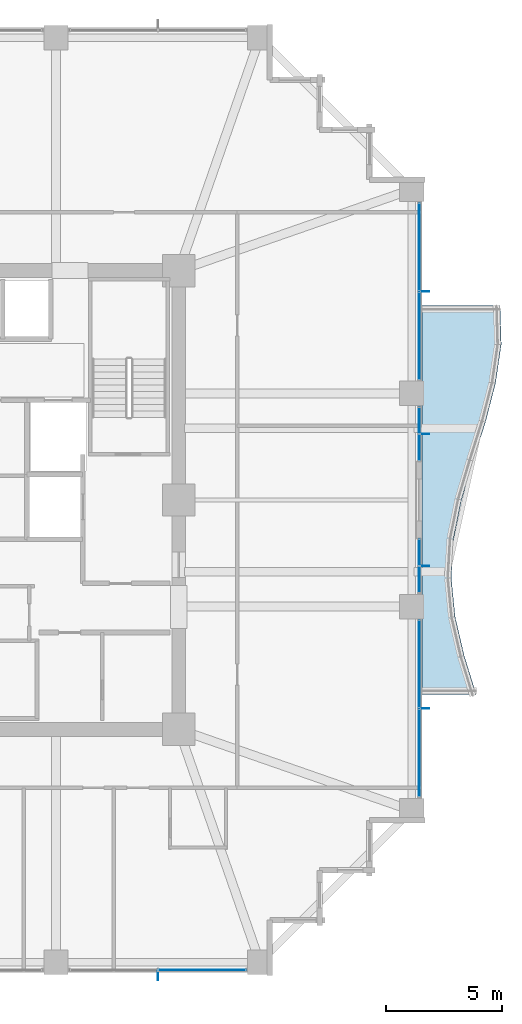
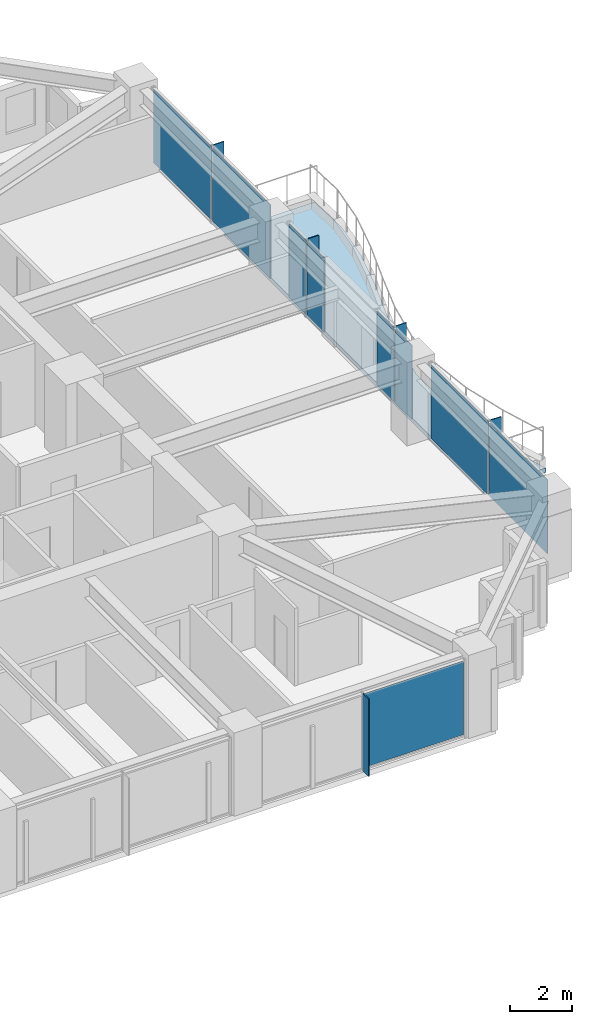
# One storey, part 28 of 36: 14 plates, 1 slab, 5 elements without a shape of their own.
"""IFC4 building model written with IfcOpenShell, lengths in metres."""

from ifc_helpers import new_model, si_unit, direction, frame, origin, origin_2d, place, context, subcontext, project, spatial, polyline, rectangle, outline, extrude, material, layer, layer_set, type_object, element, aggregate, save


model = new_model("IFC4")

# Units and contexts
model_context = context("Model", 3, precision=1e-05, world=origin(), true_north=direction((0.0, 1.0)))
body_context = subcontext(model_context, "Body", "Model", "MODEL_VIEW")
ifc_project = project(units=[si_unit("LENGTHUNIT", "METRE"), si_unit("AREAUNIT", "SQUARE_METRE"), si_unit("VOLUMEUNIT", "CUBIC_METRE"), si_unit("PLANEANGLEUNIT", "RADIAN"), si_unit("MASSUNIT", "GRAM", prefix="KILO")], contexts=[model_context])

# Site, building, storey
site_placement = place(None, origin())
site = spatial("IfcSite", under=ifc_project, at=site_placement, CompositionType="ELEMENT")
building_placement = place(site_placement, origin())
building = spatial("IfcBuilding", under=site, at=building_placement, Name="Kolvaren Belvedere", CompositionType="ELEMENT")
storey_placement = place(building_placement, frame((0.0, 0.0, 95.300048828125)))
storey = spatial("IfcBuildingStorey", under=building, at=storey_placement, Name="L27", CompositionType="ELEMENT", Elevation=95.300048828125)

# Curtain wall, plate
ifc_material_1 = material(Name="Anodised pale-metal aluminium AA 6063-T6", Category="aluminium")
curtain_wall_type = type_object("IfcCurtainWallType", Name="CW-Z2-MID", PredefinedType="NOTDEFINED", material=ifc_material_1)
curtain_wall_1_placement = place(storey_placement, origin())
curtain_wall_1 = element("IfcCurtainWall", 1, at=curtain_wall_1_placement, inside=storey, type_object=curtain_wall_type, Name="L27 Unitised Curtain Wall FCW-L27-S-B1", PredefinedType="NOTDEFINED")
ifc_material_2 = material(Name="Low-iron triple insulated glass", Category="glass")
ifc_layer_1 = layer(ifc_material_2, 0.028076171875)
ifc_layer_set_1 = layer_set([ifc_layer_1], Name="Low-iron triple insulated glass")
plate_type_1 = type_object("IfcPlateType", Name="CW-PNL-VIS28", PredefinedType="CURTAIN_PANEL", material=ifc_layer_set_1)
plate_1_placement = place(storey_placement, frame((10.9111328125, -20.280029296875, 0.080078125), z_axis=(0.0, 0.0, 1.0), x_axis=(-1.0, 0.0, 0.0)))
plate_1 = element("IfcPlate", 2, at=plate_1_placement, type_object=plate_type_1, Name="FCW-L27-S-B1 Vision Glazing Panel 1", PredefinedType="CURTAIN_PANEL", context=body_context, shape_type="SweptSolid", body=[
    extrude(rectangle(XDim=3.742431640625, YDim=0.028076171875, at=origin_2d()), origin(), (0.0, 0.0, 1.0), 2.919921875),
])
aggregate(curtain_wall_1, [plate_1])

# Curtain wall, plates
curtain_wall_2_placement = place(storey_placement, origin())
curtain_wall_2 = element("IfcCurtainWall", 3, at=curtain_wall_2_placement, inside=storey, type_object=curtain_wall_type, Name="L27 Unitised Curtain Wall FCW-L27-E1-B1", PredefinedType="NOTDEFINED")
plate_2_placement = place(storey_placement, frame((20.280029296875, 10.9111328125, 0.080078125), z_axis=(0.0, 0.0, 1.0), x_axis=(0.0, -1.0, 0.0)))
plate_2 = element("IfcPlate", 4, at=plate_2_placement, type_object=plate_type_1, Name="FCW-L27-E1-B1 Vision Glazing Panel 1", PredefinedType="CURTAIN_PANEL", context=body_context, shape_type="SweptSolid", body=[
    extrude(rectangle(XDim=3.742431640625, YDim=0.028076171875, at=origin_2d()), origin(), (0.0, 0.0, 1.0), 2.919921875),
])
plate_3_placement = place(storey_placement, frame((20.280029296875, 7.0888671875, 0.080078125), z_axis=(0.0, 0.0, 1.0), x_axis=(0.0, -1.0, 0.0)))
plate_3 = element("IfcPlate", 5, at=plate_3_placement, type_object=plate_type_1, Name="FCW-L27-E1-B1 Vision Glazing Panel 2", PredefinedType="CURTAIN_PANEL", context=body_context, shape_type="SweptSolid", body=[
    extrude(rectangle(XDim=3.742431640625, YDim=0.028076171875, at=origin_2d()), origin(), (0.0, 0.0, 1.0), 2.919921875),
])
aggregate(curtain_wall_2, [plate_2, plate_3])

curtain_wall_3_placement = place(storey_placement, origin())
curtain_wall_3 = element("IfcCurtainWall", 6, at=curtain_wall_3_placement, inside=storey, type_object=curtain_wall_type, Name="L27 Unitised Curtain Wall FCW-L27-E1-B2", PredefinedType="NOTDEFINED")
plate_4_placement = place(storey_placement, frame((20.280029296875, 3.43701171875, 0.080078125), z_axis=(0.0, 0.0, 1.0), x_axis=(0.0, -1.0, 0.0)))
plate_4 = element("IfcPlate", 7, at=plate_4_placement, type_object=plate_type_1, Name="FCW-L27-E1-B2 Vision Glazing Panel 1", PredefinedType="CURTAIN_PANEL", context=body_context, shape_type="SweptSolid", body=[
    extrude(rectangle(XDim=1.09130859375, YDim=0.028076171875, at=origin_2d()), origin(), (0.0, 0.0, 1.0), 2.919921875),
])
plate_5_placement = place(storey_placement, frame((20.280029296875, 2.265625, 0.080078125), z_axis=(0.0, 0.0, 1.0), x_axis=(0.0, -1.0, 0.0)))
plate_5 = element("IfcPlate", 8, at=plate_5_placement, type_object=plate_type_1, Name="FCW-L27-E1-B2 Vision Glazing Panel 2", PredefinedType="CURTAIN_PANEL", context=body_context, shape_type="SweptSolid", body=[
    extrude(rectangle(XDim=1.09130859375, YDim=0.028076171875, at=origin_2d()), origin(), (0.0, 0.0, 1.0), 2.919921875),
])
aggregate(curtain_wall_3, [plate_4, plate_5])

curtain_wall_4_placement = place(storey_placement, origin())
curtain_wall_4 = element("IfcCurtainWall", 9, at=curtain_wall_4_placement, inside=storey, type_object=curtain_wall_type, Name="L27 Unitised Curtain Wall FCW-L27-E2-B1", PredefinedType="NOTDEFINED")
plate_6_placement = place(storey_placement, frame((20.280029296875, -2.265625, 0.080078125), z_axis=(0.0, 0.0, 1.0), x_axis=(0.0, -1.0, 0.0)))
plate_6 = element("IfcPlate", 10, at=plate_6_placement, type_object=plate_type_1, Name="FCW-L27-E2-B1 Vision Glazing Panel 1", PredefinedType="CURTAIN_PANEL", context=body_context, shape_type="SweptSolid", body=[
    extrude(rectangle(XDim=1.09130859375, YDim=0.028076171875, at=origin_2d()), origin(), (0.0, 0.0, 1.0), 2.919921875),
])
plate_7_placement = place(storey_placement, frame((20.280029296875, -3.43701171875, 0.080078125), z_axis=(0.0, 0.0, 1.0), x_axis=(0.0, -1.0, 0.0)))
plate_7 = element("IfcPlate", 11, at=plate_7_placement, type_object=plate_type_1, Name="FCW-L27-E2-B1 Vision Glazing Panel 2", PredefinedType="CURTAIN_PANEL", context=body_context, shape_type="SweptSolid", body=[
    extrude(rectangle(XDim=1.09130859375, YDim=0.028076171875, at=origin_2d()), origin(), (0.0, 0.0, 1.0), 2.919921875),
])
aggregate(curtain_wall_4, [plate_6, plate_7])

curtain_wall_5_placement = place(storey_placement, origin())
curtain_wall_5 = element("IfcCurtainWall", 12, at=curtain_wall_5_placement, inside=storey, type_object=curtain_wall_type, Name="L27 Unitised Curtain Wall FCW-L27-E2-B2", PredefinedType="NOTDEFINED")
plate_8_placement = place(storey_placement, frame((20.280029296875, -7.0888671875, 0.080078125), z_axis=(0.0, 0.0, 1.0), x_axis=(0.0, -1.0, 0.0)))
plate_8 = element("IfcPlate", 13, at=plate_8_placement, type_object=plate_type_1, Name="FCW-L27-E2-B2 Vision Glazing Panel 1", PredefinedType="CURTAIN_PANEL", context=body_context, shape_type="SweptSolid", body=[
    extrude(rectangle(XDim=3.742431640625, YDim=0.028076171875, at=origin_2d()), origin(), (0.0, 0.0, 1.0), 2.919921875),
])
plate_9_placement = place(storey_placement, frame((20.280029296875, -10.9111328125, 0.080078125), z_axis=(0.0, 0.0, 1.0), x_axis=(0.0, -1.0, 0.0)))
plate_9 = element("IfcPlate", 14, at=plate_9_placement, type_object=plate_type_1, Name="FCW-L27-E2-B2 Vision Glazing Panel 2", PredefinedType="CURTAIN_PANEL", context=body_context, shape_type="SweptSolid", body=[
    extrude(rectangle(XDim=3.742431640625, YDim=0.028076171875, at=origin_2d()), origin(), (0.0, 0.0, 1.0), 2.919921875),
])
aggregate(curtain_wall_5, [plate_8, plate_9])

# Plates
ifc_material_3 = material(Name="Anodised pale-metal aluminium AA 6063-T6", Category="aluminium")
ifc_layer_2 = layer(ifc_material_3, 0.033935546875)
ifc_layer_set_2 = layer_set([ifc_layer_2], Name="Anodised pale-metal aluminium AA 6063-T6")
plate_type_2 = type_object("IfcPlateType", Name="FIN-VERT-380", PredefinedType="USERDEFINED", material=ifc_layer_set_2)
for number, where, z_axis, x_axis, name in (
    (15, (9.0, -20.52490234375, 0.0), (0.0, 0.0, 1.0), (0.0, 1.0, 0.0), "L27 Pale-Metal Vertical Shading Fin FCW-L27-S-B1-1"),
    (16, (20.52490234375, 9.0, 0.0), (0.0, 0.0, 1.0), (1.0, 0.0, 0.0), "L27 Pale-Metal Vertical Shading Fin FCW-L27-E1-B1-1"),
    (17, (20.52490234375, 2.851318359375, 0.0), (0.0, 0.0, 1.0), (1.0, 0.0, 0.0), "L27 Pale-Metal Vertical Shading Fin FCW-L27-E1-B2-1"),
    (18, (20.52490234375, -2.851318359375, 0.0), (0.0, 0.0, 1.0), (1.0, 0.0, 0.0), "L27 Pale-Metal Vertical Shading Fin FCW-L27-E2-B1-1"),
    (19, (20.52490234375, -9.0, 0.0), (0.0, 0.0, 1.0), (1.0, 0.0, 0.0), "L27 Pale-Metal Vertical Shading Fin FCW-L27-E2-B2-1"),
):
    element("IfcPlate", number, at=place(storey_placement, frame(where, z_axis=z_axis, x_axis=x_axis)), inside=storey, type_object=plate_type_2, Name=name, ObjectType="VERTICAL FIN", PredefinedType="USERDEFINED", context=body_context, shape_type="SweptSolid", body=[
        extrude(rectangle(XDim=0.3798828125, YDim=0.033935546875, at=origin_2d()), origin(), (0.0, 0.0, 1.0), 3.080078125),
    ])

# Slab
ifc_material_4 = material(Name="Concrete C50/60", Category="concrete")
ifc_layer_3 = layer(ifc_material_4, 0.179931640625)
ifc_layer_set_3 = layer_set([ifc_layer_3], Name="Concrete C50/60")
slab_type = type_object("IfcSlabType", Name="SL-BAL-180", PredefinedType="FLOOR", material=ifc_layer_set_3)
slab_placement = place(storey_placement, frame((0.0, 0.0, -0.219970703125)))
element("IfcSlab", 20, at=slab_placement, inside=storey, type_object=slab_type, Name="L27 Planted Balcony BAL-E", PredefinedType="FLOOR", context=body_context, shape_type="SweptSolid", body=[
    extrude(outline(polyline([(22.739990234375, -8.39990234375), (22.2197265625, -6.719970703125), (21.828125, -5.0400390625), (21.662109375, -3.360107421875), (21.7626953125, -1.679931640625), (22.105224609375, 0.0), (22.6044921875, 1.679931640625), (23.1376953125, 3.360107421875), (23.572265625, 5.0400390625), (23.820068359375, 6.719970703125), (23.76708984375, 8.39990234375), (20.39990234375, 8.39990234375), (20.39990234375, 6.719970703125), (20.39990234375, 5.0400390625), (20.39990234375, 3.360107421875), (20.39990234375, 1.679931640625), (20.39990234375, 0.0), (20.39990234375, -1.679931640625), (20.39990234375, -3.360107421875), (20.39990234375, -5.0400390625), (20.39990234375, -6.719970703125), (20.39990234375, -8.39990234375), (22.739990234375, -8.39990234375)])), origin(), (0.0, 0.0, 1.0), 0.179931640625),
])

save(model, "model.ifc")
